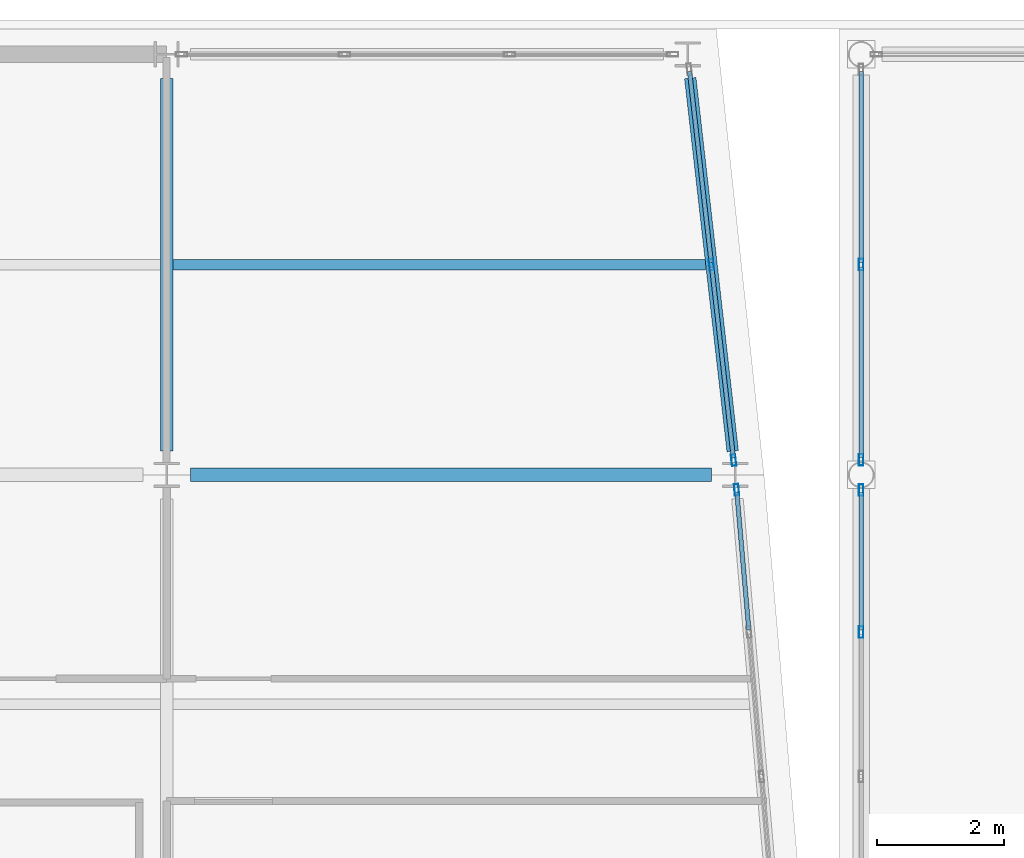
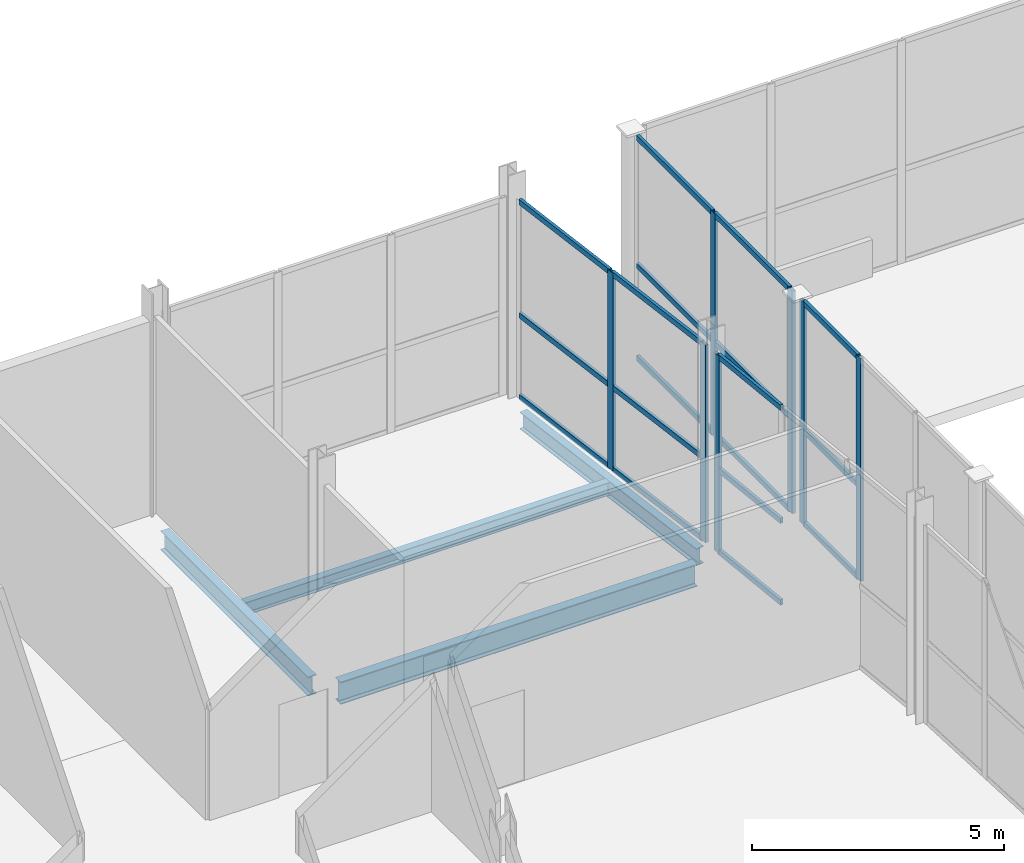
# One storey, part 34 of 83: 25 members, 4 beams, 4 elements without a shape of their own.
"""IFC4 building model written with IfcOpenShell, lengths in metres."""

from ifc_helpers import new_model, si_unit, direction, frame, origin, origin_2d, place, context, subcontext, project, spatial, hollow_rectangle, i_section, extrude, material, layer, layer_set, material_profile, profile_set, type_object, element, aggregate, save


model = new_model("IFC4")

# Units and contexts
model_context = context("Model", 3, precision=1e-05, world=origin(), true_north=direction((0.0, 1.0)))
body_context = subcontext(model_context, "Body", "Model", "MODEL_VIEW")
ifc_project = project(units=[si_unit("LENGTHUNIT", "METRE"), si_unit("AREAUNIT", "SQUARE_METRE"), si_unit("VOLUMEUNIT", "CUBIC_METRE"), si_unit("PLANEANGLEUNIT", "RADIAN"), si_unit("MASSUNIT", "GRAM", prefix="KILO")], contexts=[model_context])

# Site, building, storey
site_placement = place(None, origin())
site = spatial("IfcSite", under=ifc_project, at=site_placement, CompositionType="ELEMENT")
building_placement = place(site_placement, origin())
building = spatial("IfcBuilding", under=site, at=building_placement, Name="Quillay Park Conservatory", CompositionType="ELEMENT")
storey_placement = place(building_placement, origin())
storey = spatial("IfcBuildingStorey", under=building, at=storey_placement, Name="L00", CompositionType="ELEMENT", Elevation=0.0)

# Beam
ifc_material_1 = material(Name="Steel ASTM A992 Grade 50", Category="steel")
ifc_material_profile_1 = material_profile(ifc_material_1, i_section(OverallWidth=0.166015625, OverallDepth=0.31298828125, WebThickness=0.006591796875, FlangeThickness=0.01123046875, FilletRadius=0.010009765625, at=origin_2d()), Name="W310x45")
ifc_profile_set_1 = profile_set([ifc_material_profile_1], Name="Steel ASTM A992 Grade 50")
beam_type_1 = type_object("IfcBeamType", Name="COMPOSITE FLOOR JOIST W310 X45", PredefinedType="JOIST", material=ifc_profile_set_1)
beam_1_placement = place(storey_placement, frame((19.845947265625, 110.10009765625, -0.406494140625), z_axis=(1.0, 0.0, 0.0), x_axis=(0.0, 1.0, 0.0)))
element("IfcBeam", 1, at=beam_1_placement, inside=storey, type_object=beam_type_1, Name="L00 beam BM-J-0106", PredefinedType="JOIST", context=body_context, shape_type="SweptSolid", body=[
    extrude(i_section(OverallWidth=0.166015625, OverallDepth=0.31298828125, WebThickness=0.006591796875, FlangeThickness=0.01123046875, FilletRadius=0.010009765625, at=origin_2d()), origin(), (0.0, 0.0, 1.0), 8.364013671875),
])

# Curtain wall, member
ifc_material_2 = material(Name="Thermally Broken Anodised Aluminium 6063-T6", Category="aluminium")
ifc_layer_1 = layer(ifc_material_2, 0.179931640625)
ifc_layer_set_1 = layer_set([ifc_layer_1], Name="UNITISED CURTAIN WALL TOWER (Thermally Broken Anodised Aluminium 6063-T6)")
curtain_wall_type_1 = type_object("IfcCurtainWallType", Name="UNITISED CURTAIN WALL TOWER", PredefinedType="USERDEFINED", material=ifc_layer_set_1)
curtain_wall_1_placement = place(storey_placement, origin())
curtain_wall_1 = element("IfcCurtainWall", 2, at=curtain_wall_1_placement, inside=storey, type_object=curtain_wall_type_1, Name="L00 Unitised Curtain Wall 006", ObjectType="UNITISED CURTAIN WALL", PredefinedType="USERDEFINED")
ifc_material_3 = material(Name="Thermally Broken Anodised Aluminium 6063-T6", Category="aluminium")
ifc_material_profile_2 = material_profile(ifc_material_3, hollow_rectangle(XDim=0.070068359375, YDim=0.179931640625, WallThickness=0.00390625, at=origin_2d()), Name="AL70x180x4")
ifc_profile_set_2 = profile_set([ifc_material_profile_2], Name="Thermally Broken Anodised Aluminium 6063-T6")
member_type_1 = type_object("IfcMemberType", Name="CURTAIN WALL MULLION 70 X180", PredefinedType="MULLION", material=ifc_profile_set_2)
member_1_placement = place(storey_placement, frame((28.6953125, 106.56591796875, 0.0), z_axis=(0.0, 0.0, 1.0), x_axis=(0.996253548413, 0.086480444465, 0.0)))
member_1 = element("IfcMember", 3, at=member_1_placement, type_object=member_type_1, Name="CW-T1 mullion 1", PredefinedType="MULLION", context=body_context, shape_type="SweptSolid", body=[
    extrude(hollow_rectangle(XDim=0.070068359375, YDim=0.179931640625, WallThickness=0.00390625, at=origin_2d()), origin(), (0.0, 0.0, 1.0), 4.7890625),
])

# Curtain wall, members
curtain_wall_2_placement = place(storey_placement, origin())
curtain_wall_2 = element("IfcCurtainWall", 4, at=curtain_wall_2_placement, inside=storey, type_object=curtain_wall_type_1, Name="L00 Unitised Curtain Wall 007", ObjectType="UNITISED CURTAIN WALL", PredefinedType="USERDEFINED")
member_2_placement = place(storey_placement, frame((28.300048828125, 110.10009765625, 0.0), z_axis=(0.0, 0.0, 1.0), x_axis=(0.993605989969, 0.112903218278, 0.0)))
member_2 = element("IfcMember", 5, at=member_2_placement, type_object=member_type_1, Name="CW-T1 mullion 2", PredefinedType="MULLION", context=body_context, shape_type="SweptSolid", body=[
    extrude(hollow_rectangle(XDim=0.070068359375, YDim=0.179931640625, WallThickness=0.00390625, at=origin_2d()), origin(), (0.0, 0.0, 1.0), 4.7890625),
])
member_3_placement = place(storey_placement, frame((28.6484375, 107.033447265625, 0.0), z_axis=(0.0, 0.0, 1.0), x_axis=(0.993605989969, 0.112903218278, 0.0)))
member_3 = element("IfcMember", 6, at=member_3_placement, type_object=member_type_1, Name="CW-T1 mullion 3", PredefinedType="MULLION", context=body_context, shape_type="SweptSolid", body=[
    extrude(hollow_rectangle(XDim=0.070068359375, YDim=0.179931640625, WallThickness=0.00390625, at=origin_2d()), origin(), (0.0, 0.0, 1.0), 4.7890625),
])

ifc_material_4 = material(Name="Thermally Broken Anodised Aluminium 6063-T6", Category="aluminium")
ifc_layer_2 = layer(ifc_material_4, 0.219970703125)
ifc_layer_set_2 = layer_set([ifc_layer_2], Name="UNITISED CURTAIN WALL CONSERVATORY (Thermally Broken Anodised Aluminium 6063-T6)")
curtain_wall_type_2 = type_object("IfcCurtainWallType", Name="UNITISED CURTAIN WALL CONSERVATORY", PredefinedType="USERDEFINED", material=ifc_layer_set_2)
curtain_wall_3_placement = place(storey_placement, origin())
curtain_wall_3 = element("IfcCurtainWall", 7, at=curtain_wall_3_placement, inside=storey, type_object=curtain_wall_type_2, Name="L00 Unitised Curtain Wall 167", ObjectType="UNITISED CURTAIN WALL", PredefinedType="USERDEFINED")
member_4_placement = place(storey_placement, frame((30.64990234375, 104.332763671875, 0.0), z_axis=(0.0, 0.0, 1.0), x_axis=(-1.0, 0.0, 0.0)))
member_4 = element("IfcMember", 8, at=member_4_placement, type_object=member_type_1, Name="CW-C1 mullion 3", PredefinedType="MULLION", context=body_context, shape_type="SweptSolid", body=[
    extrude(hollow_rectangle(XDim=0.070068359375, YDim=0.179931640625, WallThickness=0.00390625, at=origin_2d()), origin(), (0.0, 0.0, 1.0), 5.39990234375),
])
member_5_placement = place(storey_placement, frame((30.64990234375, 106.56298828125, 0.0), z_axis=(0.0, 0.0, 1.0), x_axis=(-1.0, 0.0, 0.0)))
member_5 = element("IfcMember", 9, at=member_5_placement, type_object=member_type_1, Name="CW-C1 mullion 4", PredefinedType="MULLION", context=body_context, shape_type="SweptSolid", body=[
    extrude(hollow_rectangle(XDim=0.070068359375, YDim=0.179931640625, WallThickness=0.00390625, at=origin_2d()), origin(), (0.0, 0.0, 1.0), 5.39990234375),
])

curtain_wall_4_placement = place(storey_placement, origin())
curtain_wall_4 = element("IfcCurtainWall", 10, at=curtain_wall_4_placement, inside=storey, type_object=curtain_wall_type_2, Name="L00 Unitised Curtain Wall 171", ObjectType="UNITISED CURTAIN WALL", PredefinedType="USERDEFINED")
member_6_placement = place(storey_placement, frame((30.64990234375, 107.037109375, 0.0), z_axis=(0.0, 0.0, 1.0), x_axis=(-1.0, 0.0, 0.0)))
member_6 = element("IfcMember", 11, at=member_6_placement, type_object=member_type_1, Name="CW-C1 mullion 1", PredefinedType="MULLION", context=body_context, shape_type="SweptSolid", body=[
    extrude(hollow_rectangle(XDim=0.070068359375, YDim=0.179931640625, WallThickness=0.00390625, at=origin_2d()), origin(), (0.0, 0.0, 1.0), 5.39990234375),
])
member_7_placement = place(storey_placement, frame((30.64990234375, 110.10009765625, 0.0), z_axis=(0.0, 0.0, 1.0), x_axis=(-1.0, 0.0, 0.0)))
member_7 = element("IfcMember", 12, at=member_7_placement, type_object=member_type_1, Name="CW-C1 mullion 2", PredefinedType="MULLION", context=body_context, shape_type="SweptSolid", body=[
    extrude(hollow_rectangle(XDim=0.070068359375, YDim=0.179931640625, WallThickness=0.00390625, at=origin_2d()), origin(), (0.0, 0.0, 1.0), 5.39990234375),
])

# Member
ifc_material_5 = material(Name="Thermally Broken Anodised Aluminium 6063-T6", Category="aluminium")
ifc_material_profile_3 = material_profile(ifc_material_5, hollow_rectangle(XDim=0.070068359375, YDim=0.1298828125, WallThickness=0.003173828125, at=origin_2d()), Name="AL70x130x3.2")
ifc_profile_set_3 = profile_set([ifc_material_profile_3], Name="Thermally Broken Anodised Aluminium 6063-T6")
member_type_2 = type_object("IfcMemberType", Name="CURTAIN WALL TRANSOM 70 X130", PredefinedType="USERDEFINED", material=ifc_profile_set_3)
member_8_placement = place(storey_placement, frame((28.6982421875, 106.531005859375, 0.034912109375), z_axis=(0.086488870651, -0.996252816936, 0.0), x_axis=(0.996252816936, 0.086488870651, 0.0)))
member_8 = element("IfcMember", 13, at=member_8_placement, type_object=member_type_2, Name="CW-T1 transom 1.1", ObjectType="TRANSOM", PredefinedType="USERDEFINED", context=body_context, shape_type="SweptSolid", body=[
    extrude(hollow_rectangle(XDim=0.070068359375, YDim=0.1298828125, WallThickness=0.003173828125, at=origin_2d()), origin(), (0.0, 0.0, 1.0), 2.170654296875),
])

member_9_placement = place(storey_placement, frame((28.6982421875, 106.531005859375, 2.011474609375), z_axis=(0.086488870651, -0.996252816936, 0.0), x_axis=(0.996252816936, 0.086488870651, 0.0)))
member_9 = element("IfcMember", 14, at=member_9_placement, type_object=member_type_2, Name="CW-T1 transom 1.2", ObjectType="TRANSOM", PredefinedType="USERDEFINED", context=body_context, shape_type="SweptSolid", body=[
    extrude(hollow_rectangle(XDim=0.070068359375, YDim=0.1298828125, WallThickness=0.003173828125, at=origin_2d()), origin(), (0.0, 0.0, 1.0), 2.170654296875),
])

member_10_placement = place(storey_placement, frame((28.6982421875, 106.531005859375, 4.75390625), z_axis=(0.086488870651, -0.996252816936, 0.0), x_axis=(0.996252816936, 0.086488870651, 0.0)))
member_10 = element("IfcMember", 15, at=member_10_placement, type_object=member_type_2, Name="CW-T1 transom 1.3", ObjectType="TRANSOM", PredefinedType="USERDEFINED", context=body_context, shape_type="SweptSolid", body=[
    extrude(hollow_rectangle(XDim=0.070068359375, YDim=0.1298828125, WallThickness=0.003173828125, at=origin_2d()), origin(), (0.0, 0.0, 1.0), 2.170654296875),
])

aggregate(curtain_wall_1, [member_1, member_8, member_9, member_10])

member_11_placement = place(storey_placement, frame((27.95556640625, 113.1318359375, 0.034912109375), z_axis=(0.112909688044, -0.99360525479, 0.0), x_axis=(0.99360525479, 0.112909688044, 0.0)))
member_11 = element("IfcMember", 16, at=member_11_placement, type_object=member_type_2, Name="CW-T1 transom 1.1", ObjectType="TRANSOM", PredefinedType="USERDEFINED", context=body_context, shape_type="SweptSolid", body=[
    extrude(hollow_rectangle(XDim=0.070068359375, YDim=0.1298828125, WallThickness=0.003173828125, at=origin_2d()), origin(), (0.0, 0.0, 1.0), 3.016357421875),
])

member_12_placement = place(storey_placement, frame((27.95556640625, 113.1318359375, 2.011474609375), z_axis=(0.112909688044, -0.99360525479, 0.0), x_axis=(0.99360525479, 0.112909688044, 0.0)))
member_12 = element("IfcMember", 17, at=member_12_placement, type_object=member_type_2, Name="CW-T1 transom 1.2", ObjectType="TRANSOM", PredefinedType="USERDEFINED", context=body_context, shape_type="SweptSolid", body=[
    extrude(hollow_rectangle(XDim=0.070068359375, YDim=0.1298828125, WallThickness=0.003173828125, at=origin_2d()), origin(), (0.0, 0.0, 1.0), 3.016357421875),
])

member_13_placement = place(storey_placement, frame((27.95556640625, 113.1318359375, 4.75390625), z_axis=(0.112909688044, -0.99360525479, 0.0), x_axis=(0.99360525479, 0.112909688044, 0.0)))
member_13 = element("IfcMember", 18, at=member_13_placement, type_object=member_type_2, Name="CW-T1 transom 1.3", ObjectType="TRANSOM", PredefinedType="USERDEFINED", context=body_context, shape_type="SweptSolid", body=[
    extrude(hollow_rectangle(XDim=0.070068359375, YDim=0.1298828125, WallThickness=0.003173828125, at=origin_2d()), origin(), (0.0, 0.0, 1.0), 3.016357421875),
])

member_14_placement = place(storey_placement, frame((28.303955078125, 110.065185546875, 0.034912109375), z_axis=(0.112918769109, -0.993604222808, 0.0), x_axis=(0.993604222808, 0.112918769109, 0.0)))
member_14 = element("IfcMember", 19, at=member_14_placement, type_object=member_type_2, Name="CW-T1 transom 2.1", ObjectType="TRANSOM", PredefinedType="USERDEFINED", context=body_context, shape_type="SweptSolid", body=[
    extrude(hollow_rectangle(XDim=0.070068359375, YDim=0.1298828125, WallThickness=0.003173828125, at=origin_2d()), origin(), (0.0, 0.0, 1.0), 3.01611328125),
])

member_15_placement = place(storey_placement, frame((28.303955078125, 110.065185546875, 2.011474609375), z_axis=(0.112918769109, -0.993604222808, 0.0), x_axis=(0.993604222808, 0.112918769109, 0.0)))
member_15 = element("IfcMember", 20, at=member_15_placement, type_object=member_type_2, Name="CW-T1 transom 2.2", ObjectType="TRANSOM", PredefinedType="USERDEFINED", context=body_context, shape_type="SweptSolid", body=[
    extrude(hollow_rectangle(XDim=0.070068359375, YDim=0.1298828125, WallThickness=0.003173828125, at=origin_2d()), origin(), (0.0, 0.0, 1.0), 3.01611328125),
])

member_16_placement = place(storey_placement, frame((28.303955078125, 110.065185546875, 4.75390625), z_axis=(0.112918769109, -0.993604222808, 0.0), x_axis=(0.993604222808, 0.112918769109, 0.0)))
member_16 = element("IfcMember", 21, at=member_16_placement, type_object=member_type_2, Name="CW-T1 transom 2.3", ObjectType="TRANSOM", PredefinedType="USERDEFINED", context=body_context, shape_type="SweptSolid", body=[
    extrude(hollow_rectangle(XDim=0.070068359375, YDim=0.1298828125, WallThickness=0.003173828125, at=origin_2d()), origin(), (0.0, 0.0, 1.0), 3.01611328125),
])

aggregate(curtain_wall_2, [member_2, member_3, member_11, member_12, member_13, member_14, member_15, member_16])

member_17_placement = place(storey_placement, frame((30.64990234375, 104.36767578125, 0.034912109375), z_axis=(0.0, 1.0, 0.0), x_axis=(-1.0, 0.0, 0.0)))
member_17 = element("IfcMember", 22, at=member_17_placement, type_object=member_type_2, Name="CW-C1 transom 3.1", ObjectType="TRANSOM", PredefinedType="USERDEFINED", context=body_context, shape_type="SweptSolid", body=[
    extrude(hollow_rectangle(XDim=0.070068359375, YDim=0.1298828125, WallThickness=0.003173828125, at=origin_2d()), origin(), (0.0, 0.0, 1.0), 2.160400390625),
])

member_18_placement = place(storey_placement, frame((30.64990234375, 104.36767578125, 2.26806640625), z_axis=(0.0, 1.0, 0.0), x_axis=(-1.0, 0.0, 0.0)))
member_18 = element("IfcMember", 23, at=member_18_placement, type_object=member_type_2, Name="CW-C1 transom 3.2", ObjectType="TRANSOM", PredefinedType="USERDEFINED", context=body_context, shape_type="SweptSolid", body=[
    extrude(hollow_rectangle(XDim=0.070068359375, YDim=0.1298828125, WallThickness=0.003173828125, at=origin_2d()), origin(), (0.0, 0.0, 1.0), 2.160400390625),
])

member_19_placement = place(storey_placement, frame((30.64990234375, 104.36767578125, 5.364990234375), z_axis=(0.0, 1.0, 0.0), x_axis=(-1.0, 0.0, 0.0)))
member_19 = element("IfcMember", 24, at=member_19_placement, type_object=member_type_2, Name="CW-C1 transom 3.3", ObjectType="TRANSOM", PredefinedType="USERDEFINED", context=body_context, shape_type="SweptSolid", body=[
    extrude(hollow_rectangle(XDim=0.070068359375, YDim=0.1298828125, WallThickness=0.003173828125, at=origin_2d()), origin(), (0.0, 0.0, 1.0), 2.160400390625),
])

aggregate(curtain_wall_3, [member_4, member_5, member_17, member_18, member_19])

member_20_placement = place(storey_placement, frame((30.64990234375, 107.072021484375, 0.034912109375), z_axis=(0.0, 1.0, 0.0), x_axis=(-1.0, 0.0, 0.0)))
member_20 = element("IfcMember", 25, at=member_20_placement, type_object=member_type_2, Name="CW-C1 transom 1.1", ObjectType="TRANSOM", PredefinedType="USERDEFINED", context=body_context, shape_type="SweptSolid", body=[
    extrude(hollow_rectangle(XDim=0.070068359375, YDim=0.1298828125, WallThickness=0.003173828125, at=origin_2d()), origin(), (0.0, 0.0, 1.0), 2.992919921875),
])

member_21_placement = place(storey_placement, frame((30.64990234375, 107.072021484375, 2.26806640625), z_axis=(0.0, 1.0, 0.0), x_axis=(-1.0, 0.0, 0.0)))
member_21 = element("IfcMember", 26, at=member_21_placement, type_object=member_type_2, Name="CW-C1 transom 1.2", ObjectType="TRANSOM", PredefinedType="USERDEFINED", context=body_context, shape_type="SweptSolid", body=[
    extrude(hollow_rectangle(XDim=0.070068359375, YDim=0.1298828125, WallThickness=0.003173828125, at=origin_2d()), origin(), (0.0, 0.0, 1.0), 2.992919921875),
])

member_22_placement = place(storey_placement, frame((30.64990234375, 107.072021484375, 5.364990234375), z_axis=(0.0, 1.0, 0.0), x_axis=(-1.0, 0.0, 0.0)))
member_22 = element("IfcMember", 27, at=member_22_placement, type_object=member_type_2, Name="CW-C1 transom 1.3", ObjectType="TRANSOM", PredefinedType="USERDEFINED", context=body_context, shape_type="SweptSolid", body=[
    extrude(hollow_rectangle(XDim=0.070068359375, YDim=0.1298828125, WallThickness=0.003173828125, at=origin_2d()), origin(), (0.0, 0.0, 1.0), 2.992919921875),
])

member_23_placement = place(storey_placement, frame((30.64990234375, 110.135009765625, 0.034912109375), z_axis=(0.0, 1.0, 0.0), x_axis=(-1.0, 0.0, 0.0)))
member_23 = element("IfcMember", 28, at=member_23_placement, type_object=member_type_2, Name="CW-C1 transom 2.1", ObjectType="TRANSOM", PredefinedType="USERDEFINED", context=body_context, shape_type="SweptSolid", body=[
    extrude(hollow_rectangle(XDim=0.070068359375, YDim=0.1298828125, WallThickness=0.003173828125, at=origin_2d()), origin(), (0.0, 0.0, 1.0), 2.992919921875),
])

member_24_placement = place(storey_placement, frame((30.64990234375, 110.135009765625, 2.26806640625), z_axis=(0.0, 1.0, 0.0), x_axis=(-1.0, 0.0, 0.0)))
member_24 = element("IfcMember", 29, at=member_24_placement, type_object=member_type_2, Name="CW-C1 transom 2.2", ObjectType="TRANSOM", PredefinedType="USERDEFINED", context=body_context, shape_type="SweptSolid", body=[
    extrude(hollow_rectangle(XDim=0.070068359375, YDim=0.1298828125, WallThickness=0.003173828125, at=origin_2d()), origin(), (0.0, 0.0, 1.0), 2.992919921875),
])

member_25_placement = place(storey_placement, frame((30.64990234375, 110.135009765625, 5.364990234375), z_axis=(0.0, 1.0, 0.0), x_axis=(-1.0, 0.0, 0.0)))
member_25 = element("IfcMember", 30, at=member_25_placement, type_object=member_type_2, Name="CW-C1 transom 2.3", ObjectType="TRANSOM", PredefinedType="USERDEFINED", context=body_context, shape_type="SweptSolid", body=[
    extrude(hollow_rectangle(XDim=0.070068359375, YDim=0.1298828125, WallThickness=0.003173828125, at=origin_2d()), origin(), (0.0, 0.0, 1.0), 2.992919921875),
])

aggregate(curtain_wall_4, [member_6, member_7, member_20, member_21, member_22, member_23, member_24, member_25])

# Beams
ifc_material_6 = material(Name="Steel ASTM A992 Grade 50", Category="steel")
ifc_material_profile_4 = material_profile(ifc_material_6, i_section(OverallWidth=0.179931640625, OverallDepth=0.4130859375, WebThickness=0.009765625, FlangeThickness=0.01611328125, FilletRadius=0.011962890625, at=origin_2d()), Name="W410x74")
ifc_profile_set_4 = profile_set([ifc_material_profile_4], Name="Steel ASTM A992 Grade 50")
beam_type_2 = type_object("IfcBeamType", Name="PERIMETER SPANDREL BEAM W410 X74", PredefinedType="SPANDREL", material=ifc_profile_set_4)
beam_2_placement = place(storey_placement, frame((28.6328125, 107.172607421875, -0.45654296875), z_axis=(-0.112945944352, 0.993601134085, 0.0), x_axis=(-0.993601134085, -0.112945944352, 0.0)))
element("IfcBeam", 31, at=beam_2_placement, inside=storey, type_object=beam_type_2, Name="L00 beam BM-SPE-0102", PredefinedType="SPANDREL", context=body_context, shape_type="SweptSolid", body=[
    extrude(i_section(OverallWidth=0.179931640625, OverallDepth=0.4130859375, WebThickness=0.009765625, FlangeThickness=0.01611328125, FilletRadius=0.011962890625, at=origin_2d()), origin(), (0.0, 0.0, 1.0), 5.892333984375),
])
ifc_material_7 = material(Name="Steel ASTM A992 Grade 50", Category="steel")
ifc_material_profile_5 = material_profile(ifc_material_7, i_section(OverallWidth=0.19189453125, OverallDepth=0.462890625, WebThickness=0.010498046875, FlangeThickness=0.017578125, FilletRadius=0.012939453125, at=origin_2d()), Name="W460x89")
ifc_profile_set_5 = profile_set([ifc_material_profile_5], Name="Steel ASTM A992 Grade 50")
beam_type_3 = type_object("IfcBeamType", Name="PRIMARY FLOOR GIRDER W460 X89", PredefinedType="BEAM", material=ifc_profile_set_5)
beam_3_placement = place(storey_placement, frame((19.75, 107.175048828125, -0.4814453125), z_axis=(0.0, 1.0, 0.0), x_axis=(-1.0, 0.0, 0.0)))
element("IfcBeam", 32, at=beam_3_placement, inside=storey, type_object=beam_type_3, Name="L00 beam BM-GNS-0104", PredefinedType="BEAM", context=body_context, shape_type="SweptSolid", body=[
    extrude(i_section(OverallWidth=0.19189453125, OverallDepth=0.462890625, WebThickness=0.010498046875, FlangeThickness=0.017578125, FilletRadius=0.012939453125, at=origin_2d()), origin(), (0.0, 0.0, 1.0), 5.849853515625),
])
ifc_material_8 = material(Name="Steel ASTM A992 Grade 50", Category="steel")
ifc_material_profile_6 = material_profile(ifc_material_8, i_section(OverallWidth=0.2109375, OverallDepth=0.5390625, WebThickness=0.01171875, FlangeThickness=0.018798828125, FilletRadius=0.013916015625, at=origin_2d()), Name="W530x109")
ifc_profile_set_6 = profile_set([ifc_material_profile_6], Name="Steel ASTM A992 Grade 50")
beam_type_4 = type_object("IfcBeamType", Name="PRIMARY FLOOR GIRDER W530 X109", PredefinedType="BEAM", material=ifc_profile_set_6)
beam_4_placement = place(storey_placement, frame((20.125, 106.800048828125, -0.51953125), z_axis=(1.0, 0.0, 0.0), x_axis=(0.0, 1.0, 0.0)))
element("IfcBeam", 33, at=beam_4_placement, inside=storey, type_object=beam_type_4, Name="L00 beam BM-G-0063", PredefinedType="BEAM", context=body_context, shape_type="SweptSolid", body=[
    extrude(i_section(OverallWidth=0.2109375, OverallDepth=0.5390625, WebThickness=0.01171875, FlangeThickness=0.018798828125, FilletRadius=0.013916015625, at=origin_2d()), origin(), (0.0, 0.0, 1.0), 8.175048828125),
])

save(model, "model.ifc")
